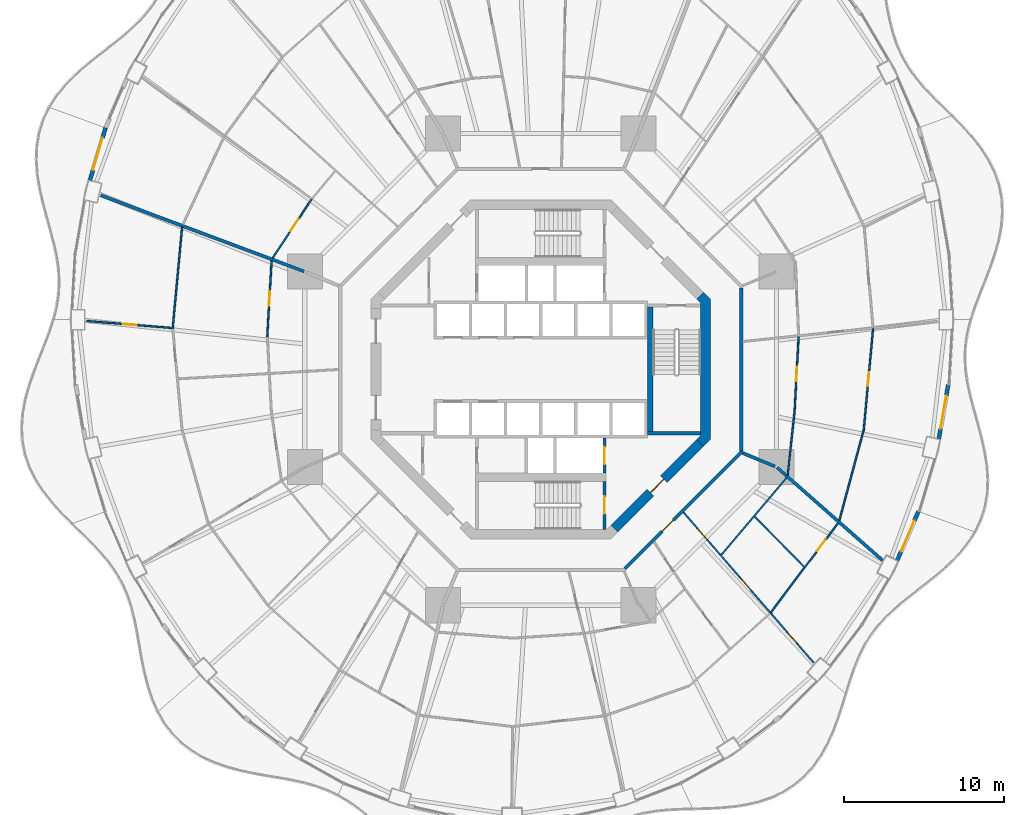
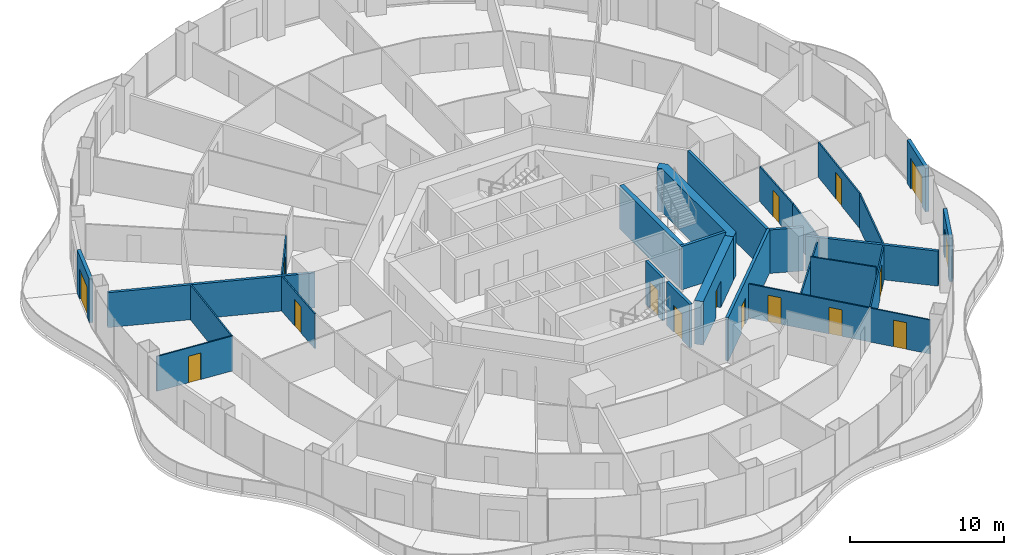
# One storey, part 16 of 22: 26 walls, 16 doors, 16 openings.
"""IFC4 building model written with IfcOpenShell, lengths in metres."""

from ifc_helpers import new_model, si_unit, direction, frame, frame_2d, origin, place, context, subcontext, project, spatial, polyline, rectangle, outline, extrude, material, layer, layer_set, type_object, element, fill, save


model = new_model("IFC4")

# Units and contexts
model_context = context("Model", 3, precision=1e-05, world=origin(), true_north=direction((0.0, 1.0)))
body_context = subcontext(model_context, "Body", "Model", "MODEL_VIEW")
ifc_project = project(units=[si_unit("LENGTHUNIT", "METRE"), si_unit("AREAUNIT", "SQUARE_METRE"), si_unit("VOLUMEUNIT", "CUBIC_METRE"), si_unit("PLANEANGLEUNIT", "RADIAN"), si_unit("MASSUNIT", "GRAM", prefix="KILO")], contexts=[model_context])

# Site, building, storey
site_placement = place(None, origin())
site = spatial("IfcSite", under=ifc_project, at=site_placement, CompositionType="ELEMENT")
building_placement = place(site_placement, origin())
building = spatial("IfcBuilding", under=site, at=building_placement, Name="Nagisa Residences", CompositionType="ELEMENT")
storey_placement = place(building_placement, frame((0.0, 0.0, 99.199951171875)))
storey = spatial("IfcBuildingStorey", under=building, at=storey_placement, Name="L24", CompositionType="ELEMENT", Elevation=99.199951171875)

# Walls
ifc_material_1 = material(Name="Gypsum board on steel studs", Category="steel")
ifc_layer_1 = layer(ifc_material_1, 0.199951171875)
ifc_layer_set_1 = layer_set([ifc_layer_1], Name="Apartment compartment wall EI60 200")
wall_type_1 = type_object("IfcWallType", Name="Apartment compartment wall EI60 200", PredefinedType="PARTITIONING", material=ifc_layer_set_1)
wall_1_placement = place(storey_placement, frame((-14.828857421875, 6.140380859375, 0.0), z_axis=(0.0, 0.0, 1.0), x_axis=(-0.936597324342, 0.35040755134, 0.0)))
element("IfcWall", 1, at=wall_1_placement, inside=storey, type_object=wall_type_1, Name="wall:L24:u05", PredefinedType="PARTITIONING", context=body_context, shape_type="SweptSolid", body=[
    extrude(rectangle(XDim=13.605712890625, YDim=0.199951171875, at=frame_2d((6.802734375, 0.0))), origin(), (0.0, 0.0, 1.0), 2.761962890625),
])
wall_2_placement = place(storey_placement, frame((12.6572265625, -5.24267578125, 0.0), z_axis=(0.0, 0.0, 1.0), x_axis=(0.923876145736, -0.382691608661, 0.0)))
element("IfcWall", 2, at=wall_2_placement, inside=storey, type_object=wall_type_1, Name="wall:L24:u08", PredefinedType="PARTITIONING", context=body_context, shape_type="SweptSolid", body=[
    extrude(rectangle(XDim=2.19970703125, YDim=0.199951171875, at=frame_2d((1.099853515625, 0.0))), origin(), (0.0, 0.0, 1.0), 3.43994140625),
])
wall_3_placement = place(storey_placement, frame((14.819580078125, -6.156005859375, 0.0), z_axis=(0.0, 0.0, 1.0), x_axis=(0.750582231659, -0.660777052808, 0.0)))
element("IfcWall", 3, at=wall_3_placement, inside=storey, type_object=wall_type_1, Name="wall:L24:u09", PredefinedType="PARTITIONING", context=body_context, shape_type="SweptSolid", body=[
    extrude(rectangle(XDim=8.781005859375, YDim=0.199951171875, at=frame_2d((4.390625, 0.0))), origin(), (0.0, 0.0, 1.0), 2.761962890625),
])
ifc_material_2 = material(Name="Gypsum board on steel studs", Category="steel")
ifc_layer_2 = layer(ifc_material_2, 0.199951171875)
ifc_layer_set_2 = layer_set([ifc_layer_2], Name="Apartment entry wall EI60 200")
wall_type_2 = type_object("IfcWallType", Name="Apartment entry wall EI60 200", PredefinedType="PARTITIONING", material=ifc_layer_set_2)
wall_4_placement = place(storey_placement, frame((12.564697265625, -5.1044921875, 0.0), z_axis=(0.0, 0.0, 1.0), x_axis=(0.0, 1.0, 0.0)))
element("IfcWall", 4, at=wall_4_placement, inside=storey, type_object=wall_type_2, Name="wall:L24:u10", PredefinedType="PARTITIONING", context=body_context, shape_type="SweptSolid", body=[
    extrude(rectangle(XDim=10.208984375, YDim=0.199951171875, at=frame_2d((5.1044921875, 0.0))), origin(), (0.0, 0.0, 1.0), 3.43994140625),
])

# Wall, opening, door
wall_5_placement = place(storey_placement, frame((5.275146484375, -12.494140625, 0.0), z_axis=(0.0, 0.0, 1.0), x_axis=(0.707106781187, 0.707106781187, 0.0)))
wall_5 = element("IfcWall", 5, at=wall_5_placement, inside=storey, type_object=wall_type_2, Name="wall:L24:u17", PredefinedType="PARTITIONING", context=body_context, shape_type="SweptSolid", body=[
    extrude(rectangle(XDim=10.4091796875, YDim=0.199951171875, at=frame_2d((5.20458984375, 0.0))), origin(), (0.0, 0.0, 1.0), 3.43994140625),
])
opening_1_placement = place(wall_5_placement, frame((3.303466796875, 0.0, 0.0)))
opening_1 = element("IfcOpeningElement", 6, at=opening_1_placement, cuts=wall_5, Name="Opening L24-U15", PredefinedType="OPENING", context=body_context, shape_type="SweptSolid", body=[
    extrude(rectangle(XDim=1.0, YDim=2.10009765625, at=frame_2d((0.5, 1.050048828125))), frame((0.0, 0.10986328125, 0.0), z_axis=(0.0, -1.0, 0.0), x_axis=(1.0, 0.0, 0.0)), (0.0, 0.0, 1.0), 0.219970703125),
])
ifc_material_3 = material(Name="Timber fire door set", Category="wood")
door_type_1 = type_object("IfcDoorType", Name="Apartment entry door FD30S 1000x2100", OperationType="NOTDEFINED", PredefinedType="DOOR", material=ifc_material_3)
door_1_placement = place(opening_1_placement, frame((1.0, 0.0, 0.0), x_axis=(-1.0, 0.0, 0.0)))
door_1 = element("IfcDoor", 7, at=door_1_placement, inside=storey, type_object=door_type_1, Name="Entry door, Apartment 24B", OperationType="SINGLE_SWING_RIGHT", OverallHeight=2.10009765625, OverallWidth=1.0, PredefinedType="DOOR", context=body_context, shape_type="SweptSolid", body=[
    extrude(rectangle(XDim=1.0, YDim=2.10009765625, at=frame_2d((0.5, 1.050048828125))), frame((0.0, 0.02490234375, 0.0), z_axis=(0.0, -1.0, 0.0), x_axis=(1.0, 0.0, 0.0)), (0.0, 0.0, 1.0), 0.050048828125),
])
fill(opening_1, door_1)

ifc_material_4 = material(Name="Gypsum board on steel studs", Category="steel")
ifc_layer_3 = layer(ifc_material_4, 0.10009765625)
ifc_layer_set_3 = layer_set([ifc_layer_3], Name="Apartment partition 100")
wall_type_3 = type_object("IfcWallType", Name="Apartment partition 100", PredefinedType="PARTITIONING", material=ifc_layer_set_3)
wall_6_placement = place(storey_placement, frame((16.1611328125, 2.058349609375, 0.0), z_axis=(0.0, 0.0, 1.0), x_axis=(-0.053696394729, -0.998557307916, 0.0)))
wall_6 = element("IfcWall", 8, at=wall_6_placement, inside=storey, type_object=wall_type_3, Name="wall:L24:u20", PredefinedType="PARTITIONING", context=body_context, shape_type="SweptSolid", body=[
    extrude(rectangle(XDim=4.7421875, YDim=0.10009765625, at=frame_2d((2.37109375, 0.0))), origin(), (0.0, 0.0, 1.0), 2.761962890625),
])
opening_2_placement = place(wall_6_placement, frame((1.89599609375, 0.0, 0.0)))
opening_2 = element("IfcOpeningElement", 9, at=opening_2_placement, cuts=wall_6, Name="Opening L24-U40", PredefinedType="OPENING", context=body_context, shape_type="SweptSolid", body=[
    extrude(rectangle(XDim=0.89990234375, YDim=2.10009765625, at=frame_2d((0.449951171875, 1.050048828125))), frame((0.0, 0.06005859375, 0.0), z_axis=(0.0, -1.0, 0.0), x_axis=(1.0, 0.0, 0.0)), (0.0, 0.0, 1.0), 0.1201171875),
])
ifc_material_5 = material(Name="Timber door set", Category="wood")
door_type_2 = type_object("IfcDoorType", Name="Apartment door 900x2100", OperationType="NOTDEFINED", PredefinedType="DOOR", material=ifc_material_5)
door_2_placement = place(opening_2_placement, frame((0.89990234375, 0.0, 0.0), x_axis=(-1.0, 0.0, 0.0)))
door_2 = element("IfcDoor", 10, at=door_2_placement, inside=storey, type_object=door_type_2, Name="Door to laundry, Apartment 24C", OperationType="SINGLE_SWING_LEFT", OverallHeight=2.10009765625, OverallWidth=0.89990234375, PredefinedType="DOOR", context=body_context, shape_type="SweptSolid", body=[
    extrude(rectangle(XDim=0.89990234375, YDim=2.10009765625, at=frame_2d((0.449951171875, 1.050048828125))), frame((0.0, 0.02490234375, 0.0), z_axis=(0.0, -1.0, 0.0), x_axis=(1.0, 0.0, 0.0)), (0.0, 0.0, 1.0), 0.050048828125),
])
fill(opening_2, door_2)

wall_7_placement = place(storey_placement, frame((20.824951171875, 2.54248046875, 0.0), z_axis=(0.0, 0.0, 1.0), x_axis=(-0.09140211812, -0.995814065377, 0.0)))
wall_7 = element("IfcWall", 11, at=wall_7_placement, inside=storey, type_object=wall_type_3, Name="wall:L24:u22", PredefinedType="PARTITIONING", context=body_context, shape_type="SweptSolid", body=[
    extrude(rectangle(XDim=6.402587890625, YDim=0.10009765625, at=frame_2d((3.201171875, 0.0))), origin(), (0.0, 0.0, 1.0), 2.761962890625),
])
opening_3_placement = place(wall_7_placement, frame((2.726318359375, 0.0, 0.0)))
opening_3 = element("IfcOpeningElement", 12, at=opening_3_placement, cuts=wall_7, Name="Opening L24-U39", PredefinedType="OPENING", context=body_context, shape_type="SweptSolid", body=[
    extrude(rectangle(XDim=0.89990234375, YDim=2.10009765625, at=frame_2d((0.449951171875, 1.050048828125))), frame((0.0, 0.06005859375, 0.0), z_axis=(0.0, -1.0, 0.0), x_axis=(1.0, 0.0, 0.0)), (0.0, 0.0, 1.0), 0.1201171875),
])
door_3_placement = place(opening_3_placement, origin())
door_3 = element("IfcDoor", 13, at=door_3_placement, inside=storey, type_object=door_type_2, Name="Door to living room, Apartment 24C", OperationType="SINGLE_SWING_LEFT", OverallHeight=2.10009765625, OverallWidth=0.89990234375, PredefinedType="DOOR", context=body_context, shape_type="SweptSolid", body=[
    extrude(rectangle(XDim=0.89990234375, YDim=2.10009765625, at=frame_2d((0.449951171875, 1.050048828125))), frame((0.0, 0.02490234375, 0.0), z_axis=(0.0, -1.0, 0.0), x_axis=(1.0, 0.0, 0.0)), (0.0, 0.0, 1.0), 0.050048828125),
])
fill(opening_3, door_3)

wall_8_placement = place(storey_placement, frame((-14.370849609375, 10.64501953125, 0.0), z_axis=(0.0, 0.0, 1.0), x_axis=(-0.553341009285, -0.832954817168, 0.0)))
wall_8 = element("IfcWall", 14, at=wall_8_placement, inside=storey, type_object=wall_type_3, Name="wall:L24:u52", PredefinedType="PARTITIONING", context=body_context, shape_type="SweptSolid", body=[
    extrude(rectangle(XDim=4.396240234375, YDim=0.10009765625, at=frame_2d((2.1982421875, 0.0))), origin(), (0.0, 0.0, 1.0), 2.761962890625),
])
opening_4_placement = place(wall_8_placement, frame((1.468505859375, 0.0, 0.0)))
opening_4 = element("IfcOpeningElement", 15, at=opening_4_placement, cuts=wall_8, Name="Opening L24-U54", PredefinedType="OPENING", context=body_context, shape_type="SweptSolid", body=[
    extrude(rectangle(XDim=0.89990234375, YDim=2.10009765625, at=frame_2d((0.449951171875, 1.050048828125))), frame((0.0, 0.06005859375, 0.0), z_axis=(0.0, -1.0, 0.0), x_axis=(1.0, 0.0, 0.0)), (0.0, 0.0, 1.0), 0.1201171875),
])
door_4_placement = place(opening_4_placement, frame((0.89990234375, 0.0, 0.0), x_axis=(-1.0, 0.0, 0.0)))
door_4 = element("IfcDoor", 16, at=door_4_placement, inside=storey, type_object=door_type_2, Name="Door to kitchen, Apartment 24E", OperationType="SINGLE_SWING_LEFT", OverallHeight=2.10009765625, OverallWidth=0.89990234375, PredefinedType="DOOR", context=body_context, shape_type="SweptSolid", body=[
    extrude(rectangle(XDim=0.89990234375, YDim=2.10009765625, at=frame_2d((0.449951171875, 1.050048828125))), frame((0.0, 0.02490234375, 0.0), z_axis=(0.0, -1.0, 0.0), x_axis=(1.0, 0.0, 0.0)), (0.0, 0.0, 1.0), 0.050048828125),
])
fill(opening_4, door_4)

wall_9_placement = place(storey_placement, frame((-16.864501953125, 6.800048828125, 0.0), z_axis=(0.0, 0.0, 1.0), x_axis=(-0.05777584434, -0.998329580755, 0.0)))
wall_9 = element("IfcWall", 17, at=wall_9_placement, inside=storey, type_object=wall_type_3, Name="wall:L24:u54", PredefinedType="PARTITIONING", context=body_context, shape_type="SweptSolid", body=[
    extrude(rectangle(XDim=4.74951171875, YDim=0.10009765625, at=frame_2d((2.374755859375, 0.0))), origin(), (0.0, 0.0, 1.0), 2.761962890625),
])
opening_5_placement = place(wall_9_placement, frame((1.89990234375, 0.0, 0.0)))
opening_5 = element("IfcOpeningElement", 18, at=opening_5_placement, cuts=wall_9, Name="Opening L24-U14", PredefinedType="OPENING", context=body_context, shape_type="SweptSolid", body=[
    extrude(rectangle(XDim=0.89990234375, YDim=2.10009765625, at=frame_2d((0.449951171875, 1.050048828125))), frame((0.0, 0.06005859375, 0.0), z_axis=(0.0, -1.0, 0.0), x_axis=(1.0, 0.0, 0.0)), (0.0, 0.0, 1.0), 0.1201171875),
])
door_5_placement = place(opening_5_placement, origin())
door_5 = element("IfcDoor", 19, at=door_5_placement, inside=storey, type_object=door_type_2, Name="Door to laundry, Apartment 24A", OperationType="SINGLE_SWING_RIGHT", OverallHeight=2.10009765625, OverallWidth=0.89990234375, PredefinedType="DOOR", context=body_context, shape_type="SweptSolid", body=[
    extrude(rectangle(XDim=0.89990234375, YDim=2.10009765625, at=frame_2d((0.449951171875, 1.050048828125))), frame((0.0, 0.02490234375, 0.0), z_axis=(0.0, -1.0, 0.0), x_axis=(1.0, 0.0, 0.0)), (0.0, 0.0, 1.0), 0.050048828125),
])
fill(opening_5, door_5)

# Wall
wall_10_placement = place(storey_placement, frame((-22.47412109375, 8.897705078125, 0.0), z_axis=(0.0, 0.0, 1.0), x_axis=(-0.092756864489, -0.995688788774, 0.0)))
element("IfcWall", 20, at=wall_10_placement, inside=storey, type_object=wall_type_3, Name="wall:L24:u55", PredefinedType="PARTITIONING", context=body_context, shape_type="SweptSolid", body=[
    extrude(rectangle(XDim=6.28271484375, YDim=0.10009765625, at=frame_2d((3.141357421875, 0.0))), origin(), (0.0, 0.0, 1.0), 2.761962890625),
])

# Wall, opening, door
wall_11_placement = place(storey_placement, frame((-23.01171875, 2.588134765625, 0.0), z_axis=(0.0, 0.0, 1.0), x_axis=(-0.996680765347, 0.081409164031, 0.0)))
wall_11 = element("IfcWall", 21, at=wall_11_placement, inside=storey, type_object=wall_type_3, Name="wall:L24:u57", PredefinedType="PARTITIONING", context=body_context, shape_type="SweptSolid", body=[
    extrude(rectangle(XDim=5.4580078125, YDim=0.10009765625, at=frame_2d((2.72900390625, 0.0))), origin(), (0.0, 0.0, 1.0), 2.761962890625),
])
opening_6_placement = place(wall_11_placement, frame((2.303955078125, 0.0, 0.0)))
opening_6 = element("IfcOpeningElement", 22, at=opening_6_placement, cuts=wall_11, Name="Opening L24-U13", PredefinedType="OPENING", context=body_context, shape_type="SweptSolid", body=[
    extrude(rectangle(XDim=0.89990234375, YDim=2.10009765625, at=frame_2d((0.449951171875, 1.050048828125))), frame((0.0, 0.06005859375, 0.0), z_axis=(0.0, -1.0, 0.0), x_axis=(1.0, 0.0, 0.0)), (0.0, 0.0, 1.0), 0.1201171875),
])
door_6_placement = place(opening_6_placement, frame((0.89990234375, 0.0, 0.0), x_axis=(-1.0, 0.0, 0.0)))
door_6 = element("IfcDoor", 23, at=door_6_placement, inside=storey, type_object=door_type_2, Name="Door to master bedroom, Apartment 24A", OperationType="SINGLE_SWING_RIGHT", OverallHeight=2.10009765625, OverallWidth=0.89990234375, PredefinedType="DOOR", context=body_context, shape_type="SweptSolid", body=[
    extrude(rectangle(XDim=0.89990234375, YDim=2.10009765625, at=frame_2d((0.449951171875, 1.050048828125))), frame((0.0, 0.02490234375, 0.0), z_axis=(0.0, -1.0, 0.0), x_axis=(1.0, 0.0, 0.0)), (0.0, 0.0, 1.0), 0.050048828125),
])
fill(opening_6, door_6)

# Wall, openings, doors
wall_12_placement = place(storey_placement, frame((8.949951171875, -8.960205078125, 0.0), z_axis=(0.0, 0.0, 1.0), x_axis=(0.65441081073, -0.756139200676, 0.0)))
wall_12 = element("IfcWall", 24, at=wall_12_placement, inside=storey, type_object=wall_type_3, Name="wall:L24:u85", PredefinedType="PARTITIONING", context=body_context, shape_type="SweptSolid", body=[
    extrude(rectangle(XDim=12.450927734375, YDim=0.10009765625, at=frame_2d((6.2255859375, 0.0))), origin(), (0.0, 0.0, 1.0), 2.68701171875),
])
opening_7_placement = place(wall_12_placement, frame((1.335693359375, 0.0, 0.0)))
opening_7 = element("IfcOpeningElement", 25, at=opening_7_placement, cuts=wall_12, Name="Opening L24-U17", PredefinedType="OPENING", context=body_context, shape_type="SweptSolid", body=[
    extrude(rectangle(XDim=0.89990234375, YDim=2.10009765625, at=frame_2d((0.449951171875, 1.050048828125))), frame((0.0, 0.06005859375, 0.0), z_axis=(0.0, -1.0, 0.0), x_axis=(1.0, 0.0, 0.0)), (0.0, 0.0, 1.0), 0.1201171875),
])
opening_8_placement = place(wall_12_placement, frame((5.501220703125, 0.0, 0.0)))
opening_8 = element("IfcOpeningElement", 26, at=opening_8_placement, cuts=wall_12, Name="Opening L24-U19", PredefinedType="OPENING", context=body_context, shape_type="SweptSolid", body=[
    extrude(rectangle(XDim=0.89990234375, YDim=2.10009765625, at=frame_2d((0.449951171875, 1.050048828125))), frame((0.0, 0.06005859375, 0.0), z_axis=(0.0, -1.0, 0.0), x_axis=(1.0, 0.0, 0.0)), (0.0, 0.0, 1.0), 0.1201171875),
])
opening_9_placement = place(wall_12_placement, frame((9.940673828125, 0.0, 0.0)))
opening_9 = element("IfcOpeningElement", 27, at=opening_9_placement, cuts=wall_12, Name="Opening L24-U21", PredefinedType="OPENING", context=body_context, shape_type="SweptSolid", body=[
    extrude(rectangle(XDim=0.89990234375, YDim=2.10009765625, at=frame_2d((0.449951171875, 1.050048828125))), frame((0.0, 0.06005859375, 0.0), z_axis=(0.0, -1.0, 0.0), x_axis=(1.0, 0.0, 0.0)), (0.0, 0.0, 1.0), 0.1201171875),
])
door_7_placement = place(opening_7_placement, origin())
door_7 = element("IfcDoor", 28, at=door_7_placement, inside=storey, type_object=door_type_2, Name="Door to family bathroom, Apartment 24B", OperationType="SINGLE_SWING_LEFT", OverallHeight=2.10009765625, OverallWidth=0.89990234375, PredefinedType="DOOR", context=body_context, shape_type="SweptSolid", body=[
    extrude(rectangle(XDim=0.89990234375, YDim=2.10009765625, at=frame_2d((0.449951171875, 1.050048828125))), frame((0.0, 0.02490234375, 0.0), z_axis=(0.0, -1.0, 0.0), x_axis=(1.0, 0.0, 0.0)), (0.0, 0.0, 1.0), 0.050048828125),
])
fill(opening_7, door_7)
door_8_placement = place(opening_8_placement, origin())
door_8 = element("IfcDoor", 29, at=door_8_placement, inside=storey, type_object=door_type_2, Name="Door to family bathroom, Apartment 24B", OperationType="SINGLE_SWING_LEFT", OverallHeight=2.10009765625, OverallWidth=0.89990234375, PredefinedType="DOOR", context=body_context, shape_type="SweptSolid", body=[
    extrude(rectangle(XDim=0.89990234375, YDim=2.10009765625, at=frame_2d((0.449951171875, 1.050048828125))), frame((0.0, 0.02490234375, 0.0), z_axis=(0.0, -1.0, 0.0), x_axis=(1.0, 0.0, 0.0)), (0.0, 0.0, 1.0), 0.050048828125),
])
fill(opening_8, door_8)
door_9_placement = place(opening_9_placement, origin())
door_9 = element("IfcDoor", 30, at=door_9_placement, inside=storey, type_object=door_type_2, Name="Door to bedroom, Apartment 24B", OperationType="SINGLE_SWING_LEFT", OverallHeight=2.10009765625, OverallWidth=0.89990234375, PredefinedType="DOOR", context=body_context, shape_type="SweptSolid", body=[
    extrude(rectangle(XDim=0.89990234375, YDim=2.10009765625, at=frame_2d((0.449951171875, 1.050048828125))), frame((0.0, 0.02490234375, 0.0), z_axis=(0.0, -1.0, 0.0), x_axis=(1.0, 0.0, 0.0)), (0.0, 0.0, 1.0), 0.050048828125),
])
fill(opening_9, door_9)

# Wall
wall_13_placement = place(storey_placement, frame((11.319580078125, -11.62255859375, 0.0), z_axis=(0.0, 0.0, 1.0), x_axis=(0.646106810963, 0.763247003811, 0.0)))
element("IfcWall", 31, at=wall_13_placement, inside=storey, type_object=wall_type_3, Name="wall:L24:u86", PredefinedType="PARTITIONING", context=body_context, shape_type="SweptSolid", body=[
    extrude(rectangle(XDim=6.317138671875, YDim=0.10009765625, at=frame_2d((3.15869140625, 0.0))), origin(), (0.0, 0.0, 1.0), 2.761962890625),
])

# Wall, opening, door
wall_14_placement = place(storey_placement, frame((14.431884765625, -15.219482421875, 0.0), z_axis=(0.0, 0.0, 1.0), x_axis=(0.601001256685, 0.799248077548, 0.0)))
wall_14 = element("IfcWall", 32, at=wall_14_placement, inside=storey, type_object=wall_type_3, Name="wall:L24:u87", PredefinedType="PARTITIONING", context=body_context, shape_type="SweptSolid", body=[
    extrude(rectangle(XDim=6.980224609375, YDim=0.10009765625, at=frame_2d((3.490234375, 0.0))), origin(), (0.0, 0.0, 1.0), 2.761962890625),
])
opening_10_placement = place(wall_14_placement, frame((4.797607421875, 0.0, 0.0)))
opening_10 = element("IfcOpeningElement", 33, at=opening_10_placement, cuts=wall_14, Name="Opening L24-U24", PredefinedType="OPENING", context=body_context, shape_type="SweptSolid", body=[
    extrude(rectangle(XDim=0.89990234375, YDim=2.10009765625, at=frame_2d((0.449951171875, 1.050048828125))), frame((0.0, 0.06005859375, 0.0), z_axis=(0.0, -1.0, 0.0), x_axis=(1.0, 0.0, 0.0)), (0.0, 0.0, 1.0), 0.1201171875),
])
door_10_placement = place(opening_10_placement, origin())
door_10 = element("IfcDoor", 34, at=door_10_placement, inside=storey, type_object=door_type_2, Name="Door to en-suite bathroom, Apartment 24B", OperationType="SINGLE_SWING_RIGHT", OverallHeight=2.10009765625, OverallWidth=0.89990234375, PredefinedType="DOOR", context=body_context, shape_type="SweptSolid", body=[
    extrude(rectangle(XDim=0.89990234375, YDim=2.10009765625, at=frame_2d((0.449951171875, 1.050048828125))), frame((0.0, 0.02490234375, 0.0), z_axis=(0.0, -1.0, 0.0), x_axis=(1.0, 0.0, 0.0)), (0.0, 0.0, 1.0), 0.050048828125),
])
fill(opening_10, door_10)

# Walls
wall_15_placement = place(storey_placement, frame((13.41162109375, -9.228515625, 0.0), z_axis=(0.0, 0.0, 1.0), x_axis=(0.701611164285, -0.712560014421, 0.0)))
element("IfcWall", 35, at=wall_15_placement, inside=storey, type_object=wall_type_3, Name="wall:L24:u88", PredefinedType="PARTITIONING", context=body_context, shape_type="SweptSolid", body=[
    extrude(rectangle(XDim=4.4150390625, YDim=0.10009765625, at=frame_2d((2.20751953125, 0.0))), origin(), (0.0, 0.0, 1.0), 3.43994140625),
])
wall_16_placement = place(storey_placement, frame((15.4765625, -6.62548828125, 0.0), z_axis=(0.0, 0.0, 1.0), x_axis=(0.107570517496, 0.994197457131, 0.0)))
element("IfcWall", 36, at=wall_16_placement, inside=storey, type_object=wall_type_3, Name="wall:L24:u89", PredefinedType="PARTITIONING", context=body_context, shape_type="SweptSolid", body=[
    extrude(rectangle(XDim=3.9716796875, YDim=0.10009765625, at=frame_2d((1.98583984375, 0.0))), origin(), (0.0, 0.0, 1.0), 2.761962890625),
])
wall_17_placement = place(storey_placement, frame((18.713134765625, -9.464111328125, 0.0), z_axis=(0.0, 0.0, 1.0), x_axis=(0.260279646259, 0.965533275316, 0.0)))
element("IfcWall", 37, at=wall_17_placement, inside=storey, type_object=wall_type_3, Name="wall:L24:u90", PredefinedType="PARTITIONING", context=body_context, shape_type="SweptSolid", body=[
    extrude(rectangle(XDim=5.83349609375, YDim=0.10009765625, at=frame_2d((2.916748046875, 0.0))), origin(), (0.0, 0.0, 1.0), 2.761962890625),
])

# Wall, opening, door
ifc_material_6 = material(Name="Precast concrete C40/50", Category="concrete")
ifc_layer_4 = layer(ifc_material_6, 0.25)
ifc_layer_set_4 = layer_set([ifc_layer_4], Name="BALCONY DOOR WALL 250")
wall_type_4 = type_object("IfcWallType", Name="BALCONY DOOR WALL 250", PredefinedType="SOLIDWALL", material=ifc_layer_set_4)
wall_18_placement = place(storey_placement, frame((-28.24560546875, 11.861572265625, 0.0), z_axis=(0.0, 0.0, 1.0), x_axis=(0.285816610469, 0.958284334203, 0.0)))
wall_18 = element("IfcWall", 38, at=wall_18_placement, inside=storey, type_object=wall_type_4, Name="wall:L24:bay21", PredefinedType="SOLIDWALL", context=body_context, shape_type="SweptSolid", body=[
    extrude(rectangle(XDim=3.423583984375, YDim=0.25, at=frame_2d((1.7119140625, 0.0))), origin(), (0.0, 0.0, 1.0), 3.43994140625),
])
opening_11_placement = place(wall_18_placement, frame((0.661865234375, 0.0, 0.0)))
opening_11 = element("IfcOpeningElement", 39, at=opening_11_placement, cuts=wall_18, Name="Opening BD-L24-08", PredefinedType="OPENING", context=body_context, shape_type="SweptSolid", body=[
    extrude(rectangle(XDim=2.10009765625, YDim=2.39990234375, at=frame_2d((1.050048828125, 1.199951171875))), frame((0.0, 0.135009765625, 0.0), z_axis=(0.0, -1.0, 0.0), x_axis=(1.0, 0.0, 0.0)), (0.0, 0.0, 1.0), 0.27001953125),
])
ifc_material_7 = material(Name="Aluminium and clear glass", Category="aluminium")
door_type_3 = type_object("IfcDoorType", Name="BALCONY SLIDING DOOR 2100x2400", OperationType="SLIDING_TO_LEFT", PredefinedType="DOOR", material=ifc_material_7)
door_11_placement = place(opening_11_placement, origin())
door_11 = element("IfcDoor", 40, at=door_11_placement, inside=storey, type_object=door_type_3, Name="door:L24:bay21", OperationType="SLIDING_TO_LEFT", OverallHeight=2.39990234375, OverallWidth=2.10009765625, PredefinedType="DOOR", context=body_context, shape_type="SweptSolid", body=[
    extrude(rectangle(XDim=2.10009765625, YDim=2.39990234375, at=frame_2d((1.050048828125, 1.199951171875))), frame((0.0, 0.02490234375, 0.0), z_axis=(0.0, -1.0, 0.0), x_axis=(1.0, 0.0, 0.0)), (0.0, 0.0, 1.0), 0.050048828125),
])
fill(opening_11, door_11)

wall_19_placement = place(storey_placement, frame((23.672119140625, -8.892822265625, 0.0), z_axis=(0.0, 0.0, 1.0), x_axis=(-0.397621629246, -0.917549475481, 0.0)))
wall_19 = element("IfcWall", 41, at=wall_19_placement, inside=storey, type_object=wall_type_4, Name="wall:L24:bay44", PredefinedType="SOLIDWALL", context=body_context, shape_type="SweptSolid", body=[
    extrude(rectangle(XDim=3.37939453125, YDim=0.25, at=frame_2d((1.689697265625, 0.0))), origin(), (0.0, 0.0, 1.0), 3.43994140625),
])
opening_12_placement = place(wall_19_placement, frame((0.6396484375, 0.0, 0.0)))
opening_12 = element("IfcOpeningElement", 42, at=opening_12_placement, cuts=wall_19, Name="Opening BD-L24-15", PredefinedType="OPENING", context=body_context, shape_type="SweptSolid", body=[
    extrude(rectangle(XDim=2.10009765625, YDim=2.39990234375, at=frame_2d((1.050048828125, 1.199951171875))), frame((0.0, 0.135009765625, 0.0), z_axis=(0.0, -1.0, 0.0), x_axis=(1.0, 0.0, 0.0)), (0.0, 0.0, 1.0), 0.27001953125),
])
door_12_placement = place(opening_12_placement, origin())
door_12 = element("IfcDoor", 43, at=door_12_placement, inside=storey, type_object=door_type_3, Name="door:L24:bay44", OperationType="SLIDING_TO_LEFT", OverallHeight=2.39990234375, OverallWidth=2.10009765625, PredefinedType="DOOR", context=body_context, shape_type="SweptSolid", body=[
    extrude(rectangle(XDim=2.10009765625, YDim=2.39990234375, at=frame_2d((1.050048828125, 1.199951171875))), frame((0.0, 0.02490234375, 0.0), z_axis=(0.0, -1.0, 0.0), x_axis=(1.0, 0.0, 0.0)), (0.0, 0.0, 1.0), 0.050048828125),
])
fill(opening_12, door_12)

wall_20_placement = place(storey_placement, frame((25.534912109375, -0.974365234375, 0.0), z_axis=(0.0, 0.0, 1.0), x_axis=(-0.172164316671, -0.985068245385, 0.0)))
wall_20 = element("IfcWall", 44, at=wall_20_placement, inside=storey, type_object=wall_type_4, Name="wall:L24:bay46", PredefinedType="SOLIDWALL", context=body_context, shape_type="SweptSolid", body=[
    extrude(rectangle(XDim=3.454345703125, YDim=0.25, at=frame_2d((1.72705078125, 0.0))), origin(), (0.0, 0.0, 1.0), 3.43994140625),
])
opening_13_placement = place(wall_20_placement, frame((0.67724609375, 0.0, 0.0)))
opening_13 = element("IfcOpeningElement", 45, at=opening_13_placement, cuts=wall_20, Name="Opening BD-L24-16", PredefinedType="OPENING", context=body_context, shape_type="SweptSolid", body=[
    extrude(rectangle(XDim=2.10009765625, YDim=2.39990234375, at=frame_2d((1.050048828125, 1.199951171875))), frame((0.0, 0.135009765625, 0.0), z_axis=(0.0, -1.0, 0.0), x_axis=(1.0, 0.0, 0.0)), (0.0, 0.0, 1.0), 0.27001953125),
])
door_13_placement = place(opening_13_placement, origin())
door_13 = element("IfcDoor", 46, at=door_13_placement, inside=storey, type_object=door_type_3, Name="door:L24:bay46", OperationType="SLIDING_TO_LEFT", OverallHeight=2.39990234375, OverallWidth=2.10009765625, PredefinedType="DOOR", context=body_context, shape_type="SweptSolid", body=[
    extrude(rectangle(XDim=2.10009765625, YDim=2.39990234375, at=frame_2d((1.050048828125, 1.199951171875))), frame((0.0, 0.02490234375, 0.0), z_axis=(0.0, -1.0, 0.0), x_axis=(1.0, 0.0, 0.0)), (0.0, 0.0, 1.0), 0.050048828125),
])
fill(opening_13, door_13)

ifc_material_8 = material(Name="Concrete C60", Category="concrete")
ifc_layer_5 = layer(ifc_material_8, 0.60009765625)
ifc_layer_set_5 = layer_set([ifc_layer_5], Name="Core shear wall 600")
wall_type_5 = type_object("IfcWallType", Name="Core shear wall 600", PredefinedType="SHEAR", material=ifc_layer_set_5)
wall_21_placement = place(storey_placement, frame((4.613037109375, -9.98828125, 0.0), z_axis=(0.0, 0.0, 1.0), x_axis=(0.707106781187, 0.707106781187, 0.0)))
wall_21 = element("IfcWall", 47, at=wall_21_placement, inside=storey, type_object=wall_type_5, Name="wall:L24:core:flat7", PredefinedType="SHEAR", context=body_context, shape_type="SweptSolid", body=[
    extrude(rectangle(XDim=7.601806640625, YDim=0.60009765625, at=frame_2d((3.80078125, 0.0))), origin(), (0.0, 0.0, 1.0), 3.43994140625),
])
opening_14_placement = place(wall_21_placement, frame((3.200927734375, 0.0, 0.0)))
opening_14 = element("IfcOpeningElement", 48, at=opening_14_placement, cuts=wall_21, Name="Opening L24-C16", PredefinedType="OPENING", context=body_context, shape_type="SweptSolid", body=[
    extrude(rectangle(XDim=1.199951171875, YDim=2.10009765625, at=frame_2d((0.60009765625, 1.050048828125))), frame((0.0, 0.31005859375, 0.0), z_axis=(0.0, -1.0, 0.0), x_axis=(1.0, 0.0, 0.0)), (0.0, 0.0, 1.0), 0.6201171875),
])
ifc_material_9 = material(Name="Steel fire door", Category="steel")
door_type_4 = type_object("IfcDoorType", Name="Fire door EI60 1200x2100 single swing", OperationType="NOTDEFINED", PredefinedType="DOOR", material=ifc_material_9)
door_14_placement = place(opening_14_placement, origin())
door_14 = element("IfcDoor", 49, at=door_14_placement, inside=storey, type_object=door_type_4, Name="Firefighting lobby 2 door L24", OperationType="SINGLE_SWING_LEFT", OverallHeight=2.10009765625, OverallWidth=1.199951171875, PredefinedType="DOOR", context=body_context, shape_type="SweptSolid", body=[
    extrude(rectangle(XDim=1.199951171875, YDim=2.10009765625, at=frame_2d((0.60009765625, 1.050048828125))), frame((0.0, 0.02490234375, 0.0), z_axis=(0.0, -1.0, 0.0), x_axis=(1.0, 0.0, 0.0)), (0.0, 0.0, 1.0), 0.050048828125),
])
fill(opening_14, door_14)

# Wall
wall_22_placement = place(storey_placement, origin())
element("IfcWall", 50, at=wall_22_placement, inside=storey, type_object=wall_type_5, Name="wall:L24:core:flat0", PredefinedType="SHEAR", context=body_context, shape_type="SweptSolid", body=[
    extrude(outline(polyline([(9.776123046875, -4.40087890625), (10.024658203125, -4.15234375), (10.024658203125, -3.801025390625), (10.024658203125, 4.15234375), (9.776123046875, 4.40087890625), (10.200439453125, 4.8251953125), (10.62451171875, 4.40087890625), (10.62451171875, -4.40087890625), (10.200439453125, -4.8251953125), (9.776123046875, -4.40087890625)])), origin(), (0.0, 0.0, 1.0), 3.43994140625),
])

# Wall, opening, door
ifc_material_10 = material(Name="Concrete C60", Category="concrete")
ifc_layer_6 = layer(ifc_material_10, 0.199951171875)
ifc_layer_set_6 = layer_set([ifc_layer_6], Name="Lift shaft wall 200")
wall_type_6 = type_object("IfcWallType", Name="Lift shaft wall 200", PredefinedType="SOLIDWALL", material=ifc_layer_set_6)
wall_23_placement = place(storey_placement, frame((4.0, -6.5, 0.0), z_axis=(0.0, 0.0, 1.0), x_axis=(0.0, 1.0, 0.0)))
wall_23 = element("IfcWall", 51, at=wall_23_placement, inside=storey, type_object=wall_type_6, Name="wall:L24:Sb3", PredefinedType="SOLIDWALL", context=body_context, shape_type="SweptSolid", body=[
    extrude(rectangle(XDim=2.199951171875, YDim=0.199951171875, at=frame_2d((1.10009765625, 0.0))), origin(), (0.0, 0.0, 1.0), 3.43994140625),
])
opening_15_placement = place(wall_23_placement, frame((0.550048828125, 0.0, 0.0)))
opening_15 = element("IfcOpeningElement", 52, at=opening_15_placement, cuts=wall_23, Name="Opening L24-C07", PredefinedType="OPENING", context=body_context, shape_type="SweptSolid", body=[
    extrude(rectangle(XDim=1.10009765625, YDim=2.10009765625, at=frame_2d((0.550048828125, 1.050048828125))), frame((0.0, 0.10986328125, 0.0), z_axis=(0.0, -1.0, 0.0), x_axis=(1.0, 0.0, 0.0)), (0.0, 0.0, 1.0), 0.219970703125),
])
ifc_material_11 = material(Name="Stainless steel", Category="steel")
door_type_5 = type_object("IfcDoorType", Name="Lift landing door 1100x2100", OperationType="DOUBLE_DOOR_SLIDING", PredefinedType="DOOR", material=ifc_material_11)
door_15_placement = place(opening_15_placement, origin())
door_15 = element("IfcDoor", 53, at=door_15_placement, inside=storey, type_object=door_type_5, Name="Landing door FL2 L24", OperationType="DOUBLE_DOOR_SLIDING", OverallHeight=2.10009765625, OverallWidth=1.10009765625, PredefinedType="DOOR", context=body_context, shape_type="SweptSolid", body=[
    extrude(rectangle(XDim=1.10009765625, YDim=2.10009765625, at=frame_2d((0.550048828125, 1.050048828125))), frame((0.0, 0.02490234375, 0.0), z_axis=(0.0, -1.0, 0.0), x_axis=(1.0, 0.0, 0.0)), (0.0, 0.0, 1.0), 0.050048828125),
])
fill(opening_15, door_15)

ifc_material_12 = material(Name="Concrete C60", Category="concrete")
ifc_layer_7 = layer(ifc_material_12, 0.199951171875)
ifc_layer_set_7 = layer_set([ifc_layer_7], Name="Stair enclosure wall 200")
wall_type_7 = type_object("IfcWallType", Name="Stair enclosure wall 200", PredefinedType="SOLIDWALL", material=ifc_layer_set_7)
wall_24_placement = place(storey_placement, frame((4.0, -10.024658203125, 0.0), z_axis=(0.0, 0.0, 1.0), x_axis=(0.0, 1.0, 0.0)))
wall_24 = element("IfcWall", 54, at=wall_24_placement, inside=storey, type_object=wall_type_7, Name="wall:L24:SS_e", PredefinedType="SOLIDWALL", context=body_context, shape_type="SweptSolid", body=[
    extrude(rectangle(XDim=3.0, YDim=0.199951171875, at=frame_2d((1.5, 0.0))), origin(), (0.0, 0.0, 1.0), 3.43994140625),
])
opening_16_placement = place(wall_24_placement, frame((0.974609375, 0.0, 0.0)))
opening_16 = element("IfcOpeningElement", 55, at=opening_16_placement, cuts=wall_24, Name="Opening L24-C11", PredefinedType="OPENING", context=body_context, shape_type="SweptSolid", body=[
    extrude(rectangle(XDim=1.10009765625, YDim=2.10009765625, at=frame_2d((0.550048828125, 1.050048828125))), frame((0.0, 0.10986328125, 0.0), z_axis=(0.0, -1.0, 0.0), x_axis=(1.0, 0.0, 0.0)), (0.0, 0.0, 1.0), 0.219970703125),
])
ifc_material_13 = material(Name="Steel fire door", Category="steel")
door_type_6 = type_object("IfcDoorType", Name="Fire door EI90 1100x2100 single swing", OperationType="NOTDEFINED", PredefinedType="DOOR", material=ifc_material_13)
door_16_placement = place(opening_16_placement, origin())
door_16 = element("IfcDoor", 56, at=door_16_placement, inside=storey, type_object=door_type_6, Name="Stair door ST-S L24", OperationType="SINGLE_SWING_LEFT", OverallHeight=2.10009765625, OverallWidth=1.10009765625, PredefinedType="DOOR", context=body_context, shape_type="SweptSolid", body=[
    extrude(rectangle(XDim=1.10009765625, YDim=2.10009765625, at=frame_2d((0.550048828125, 1.050048828125))), frame((0.0, 0.02490234375, 0.0), z_axis=(0.0, -1.0, 0.0), x_axis=(1.0, 0.0, 0.0)), (0.0, 0.0, 1.0), 0.050048828125),
])
fill(opening_16, door_16)

# Walls
wall_25_placement = place(storey_placement, origin())
element("IfcWall", 57, at=wall_25_placement, inside=storey, type_object=wall_type_7, Name="wall:L24:SE_w", PredefinedType="SOLIDWALL", context=body_context, shape_type="SweptSolid", body=[
    extrude(outline(polyline([(7.024658203125, -3.89990234375), (6.699951171875, -3.89990234375), (6.699951171875, 3.89990234375), (7.024658203125, 3.89990234375), (7.024658203125, -3.89990234375)])), origin(), (0.0, 0.0, 1.0), 3.43994140625),
])
wall_26_placement = place(storey_placement, origin())
element("IfcWall", 58, at=wall_26_placement, inside=storey, type_object=wall_type_7, Name="wall:L24:SE_s", PredefinedType="SOLIDWALL", context=body_context, shape_type="SweptSolid", body=[
    extrude(outline(polyline([(10.024658203125, -4.10009765625), (6.699951171875, -4.10009765625), (6.699951171875, -3.89990234375), (10.024658203125, -3.89990234375), (10.024658203125, -4.10009765625)])), origin(), (0.0, 0.0, 1.0), 3.43994140625),
])

save(model, "model.ifc")
